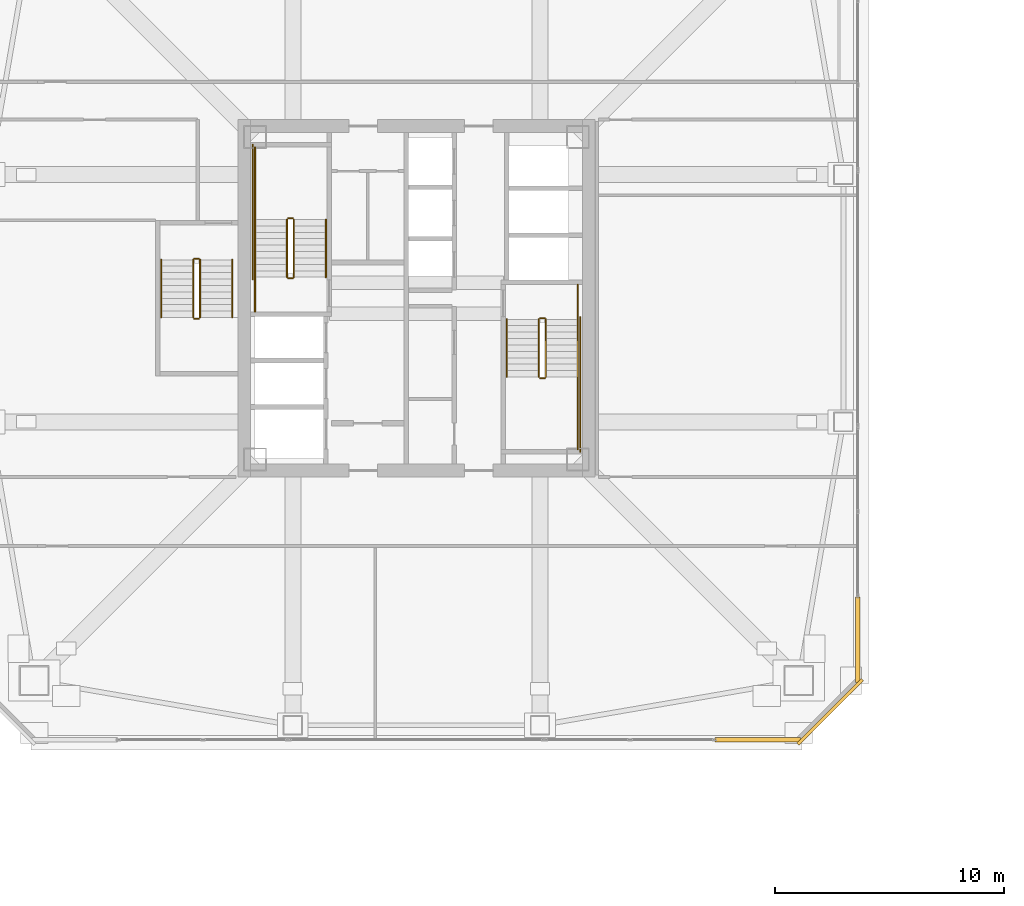
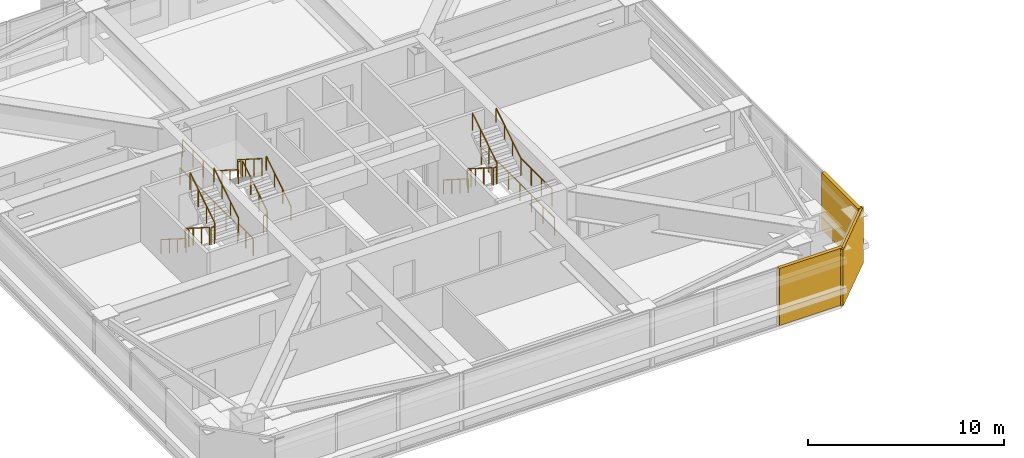
# One storey, part 38 of 42: 24 railings, 3 coverings.
"""IFC4 building model written with IfcOpenShell, lengths in metres."""

from ifc_helpers import new_model, si_unit, direction, frame, origin, origin_2d, place, context, subcontext, project, spatial, rectangle, extrude, material, layer, layer_set, type_object, element, save


model = new_model("IFC4")

# Units and contexts
model_context = context("Model", 3, precision=1e-05, world=origin(), true_north=direction((0.0, 1.0)))
body_context = subcontext(model_context, "Body", "Model", "MODEL_VIEW")
ifc_project = project(units=[si_unit("LENGTHUNIT", "METRE"), si_unit("AREAUNIT", "SQUARE_METRE"), si_unit("VOLUMEUNIT", "CUBIC_METRE"), si_unit("PLANEANGLEUNIT", "RADIAN"), si_unit("MASSUNIT", "GRAM", prefix="KILO")], contexts=[model_context])

# Site, building, storey
site_placement = place(None, origin())
site = spatial("IfcSite", under=ifc_project, at=site_placement, CompositionType="ELEMENT")
building_placement = place(site_placement, origin())
building = spatial("IfcBuilding", under=site, at=building_placement, Name="Tashvorn Skyway Center", CompositionType="ELEMENT")
storey_placement = place(building_placement, frame((0.0, 0.0, 153.449951171875)))
storey = spatial("IfcBuildingStorey", under=building, at=storey_placement, Name="L41", CompositionType="ELEMENT", Elevation=153.449951171875)

# Coverings
ifc_material_1 = material(Name="Precast concrete C40/50", Category="concrete")
ifc_layer_1 = layer(ifc_material_1, 0.199951171875)
ifc_layer_set_1 = layer_set([ifc_layer_1], Name="Precast concrete C40/50")
covering_type_1 = type_object("IfcCoveringType", Name="COV-BRACE-CLAD", PredefinedType="CLADDING", material=ifc_layer_set_1)
for number, where, z_axis, x_axis, name in (
    (1, (56.91552734375, 12.719970703125, 0.0), (0.0, 0.0, 1.0), (-1.0, 0.0, 0.0), "Tower 1 L41 South Unitised Curtain Wall Mega-Brace Cladding Band 1"),
    (2, (61.280029296875, 17.08447265625, 0.0), (0.0, 0.0, 1.0), (0.0, -1.0, 0.0), "Tower 1 L41 East Unitised Curtain Wall Mega-Brace Cladding Band 2"),
):
    element("IfcCovering", number, at=place(storey_placement, frame(where, z_axis=z_axis, x_axis=x_axis)), inside=storey, type_object=covering_type_1, Name=name, PredefinedType="CLADDING", context=body_context, shape_type="SweptSolid", body=[
        extrude(rectangle(XDim=3.72900390625, YDim=0.199951171875, at=origin_2d()), origin(), (0.0, 0.0, 1.0), 3.550048828125),
    ])
ifc_layer_2 = layer(ifc_material_1, 0.35009765625)
ifc_layer_set_2 = layer_set([ifc_layer_2], Name="Precast concrete C40/50")
covering_type_2 = type_object("IfcCoveringType", Name="COV-STONE-TRIM", PredefinedType="CLADDING", material=ifc_layer_set_2)
covering_placement = place(storey_placement, frame((60.070068359375, 13.929931640625, 0.02001953125), z_axis=(0.0, 0.0, 1.0), x_axis=(0.707106781187, 0.707106781187, 0.0)))
element("IfcCovering", 3, at=covering_placement, inside=storey, type_object=covering_type_2, Name="Tower 1 L41 SE Mojave Limestone Corner Quoin", PredefinedType="CLADDING", context=body_context, shape_type="SweptSolid", body=[
    extrude(rectangle(XDim=3.978515625, YDim=0.139892578125, at=origin_2d()), origin(), (0.0, 0.0, 1.0), 3.510009765625),
])

# Railings
ifc_material_2 = material(Name="Brushed stainless steel 316", Category="steel")
railing_type_1 = type_object("IfcRailingType", Name="RAIL-HAND-920", PredefinedType="HANDRAIL", material=ifc_material_2)
railing_1_placement = place(storey_placement, frame((38.050048828125, 32.919921875, 0.177490234375)))
element("IfcRailing", 4, at=railing_1_placement, inside=storey, type_object=railing_type_1, Name="L41 ST-T1-1 stair handrail 1", PredefinedType="HANDRAIL", context=body_context, shape_type="SweptSolid", body=[
    extrude(rectangle(XDim=0.048095703125, YDim=0.048095703125, at=origin_2d()), frame((0.0, 0.0, 0.8759765625), z_axis=(0.0, 0.84456994832, 0.535445237532), x_axis=(-1.0, 0.0, 0.0)), (0.0, 0.0, 1.0), 2.98388671875),
    extrude(rectangle(XDim=0.0419921875, YDim=0.0419921875, at=origin_2d()), origin(), (0.0, 0.0, 1.0), 0.851806640625),
    extrude(rectangle(XDim=0.0419921875, YDim=0.0419921875, at=origin_2d()), frame((0.0, 0.840087890625, 0.532470703125)), (0.0, 0.0, 1.0), 0.851806640625),
    extrude(rectangle(XDim=0.0419921875, YDim=0.0419921875, at=origin_2d()), frame((0.0, 1.679931640625, 1.065185546875)), (0.0, 0.0, 1.0), 0.851806640625),
    extrude(rectangle(XDim=0.0419921875, YDim=0.0419921875, at=origin_2d()), frame((0.0, 2.52001953125, 1.59765625)), (0.0, 0.0, 1.0), 0.851806640625),
])
railing_2_placement = place(storey_placement, frame((34.949951171875, 35.43994140625, 1.95263671875)))
element("IfcRailing", 5, at=railing_2_placement, inside=storey, type_object=railing_type_1, Name="L41 ST-T1-1 stair handrail 2", PredefinedType="HANDRAIL", context=body_context, shape_type="SweptSolid", body=[
    extrude(rectangle(XDim=0.048095703125, YDim=0.048095703125, at=origin_2d()), frame((0.0, 0.0, 0.8759765625), z_axis=(0.0, -0.84460694969, 0.535386869969), x_axis=(1.0, 0.0, 0.0)), (0.0, 0.0, 1.0), 2.983642578125),
    extrude(rectangle(XDim=0.0419921875, YDim=0.0419921875, at=origin_2d()), origin(), (0.0, 0.0, 1.0), 0.851806640625),
    extrude(rectangle(XDim=0.0419921875, YDim=0.0419921875, at=origin_2d()), frame((0.0, -0.840087890625, 0.532470703125)), (0.0, 0.0, 1.0), 0.851806640625),
    extrude(rectangle(XDim=0.0419921875, YDim=0.0419921875, at=origin_2d()), frame((0.0, -1.679931640625, 1.06494140625)), (0.0, 0.0, 1.0), 0.851806640625),
    extrude(rectangle(XDim=0.0419921875, YDim=0.0419921875, at=origin_2d()), frame((0.0, -2.52001953125, 1.597412109375)), (0.0, 0.0, 1.0), 0.851806640625),
])
railing_3_placement = place(storey_placement, frame((45.949951171875, 31.080078125, 0.177490234375)))
element("IfcRailing", 6, at=railing_3_placement, inside=storey, type_object=railing_type_1, Name="L41 ST-T1-2 stair handrail 1", PredefinedType="HANDRAIL", context=body_context, shape_type="SweptSolid", body=[
    extrude(rectangle(XDim=0.048095703125, YDim=0.048095703125, at=origin_2d()), frame((0.0, 0.0, 0.8759765625), z_axis=(0.0, -0.84456994832, 0.535445237532), x_axis=(1.0, 0.0, 0.0)), (0.0, 0.0, 1.0), 2.98388671875),
    extrude(rectangle(XDim=0.0419921875, YDim=0.0419921875, at=origin_2d()), origin(), (0.0, 0.0, 1.0), 0.851806640625),
    extrude(rectangle(XDim=0.0419921875, YDim=0.0419921875, at=origin_2d()), frame((0.0, -0.840087890625, 0.532470703125)), (0.0, 0.0, 1.0), 0.851806640625),
    extrude(rectangle(XDim=0.0419921875, YDim=0.0419921875, at=origin_2d()), frame((0.0, -1.679931640625, 1.065185546875)), (0.0, 0.0, 1.0), 0.851806640625),
    extrude(rectangle(XDim=0.0419921875, YDim=0.0419921875, at=origin_2d()), frame((0.0, -2.52001953125, 1.59765625)), (0.0, 0.0, 1.0), 0.851806640625),
])
railing_4_placement = place(storey_placement, frame((49.050048828125, 28.56005859375, 1.95263671875)))
element("IfcRailing", 7, at=railing_4_placement, inside=storey, type_object=railing_type_1, Name="L41 ST-T1-2 stair handrail 2", PredefinedType="HANDRAIL", context=body_context, shape_type="SweptSolid", body=[
    extrude(rectangle(XDim=0.048095703125, YDim=0.048095703125, at=origin_2d()), frame((0.0, 0.0, 0.8759765625), z_axis=(0.0, 0.84460694969, 0.535386869969), x_axis=(-1.0, 0.0, 0.0)), (0.0, 0.0, 1.0), 2.983642578125),
    extrude(rectangle(XDim=0.0419921875, YDim=0.0419921875, at=origin_2d()), origin(), (0.0, 0.0, 1.0), 0.851806640625),
    extrude(rectangle(XDim=0.0419921875, YDim=0.0419921875, at=origin_2d()), frame((0.0, 0.840087890625, 0.532470703125)), (0.0, 0.0, 1.0), 0.851806640625),
    extrude(rectangle(XDim=0.0419921875, YDim=0.0419921875, at=origin_2d()), frame((0.0, 1.679931640625, 1.06494140625)), (0.0, 0.0, 1.0), 0.851806640625),
    extrude(rectangle(XDim=0.0419921875, YDim=0.0419921875, at=origin_2d()), frame((0.0, 2.52001953125, 1.597412109375)), (0.0, 0.0, 1.0), 0.851806640625),
])
railing_5_placement = place(storey_placement, frame((30.85009765625, 33.679931640625, 0.177490234375)))
element("IfcRailing", 8, at=railing_5_placement, inside=storey, type_object=railing_type_1, Name="L41 ST-T1-3 stair handrail 1", PredefinedType="HANDRAIL", context=body_context, shape_type="SweptSolid", body=[
    extrude(rectangle(XDim=0.048095703125, YDim=0.048095703125, at=origin_2d()), frame((0.0, 0.0, 0.8759765625), z_axis=(0.0, -0.84456994832, 0.535445237532), x_axis=(1.0, 0.0, 0.0)), (0.0, 0.0, 1.0), 2.98388671875),
    extrude(rectangle(XDim=0.0419921875, YDim=0.0419921875, at=origin_2d()), origin(), (0.0, 0.0, 1.0), 0.851806640625),
    extrude(rectangle(XDim=0.0419921875, YDim=0.0419921875, at=origin_2d()), frame((0.0, -0.840087890625, 0.532470703125)), (0.0, 0.0, 1.0), 0.851806640625),
    extrude(rectangle(XDim=0.0419921875, YDim=0.0419921875, at=origin_2d()), frame((0.0, -1.679931640625, 1.065185546875)), (0.0, 0.0, 1.0), 0.851806640625),
    extrude(rectangle(XDim=0.0419921875, YDim=0.0419921875, at=origin_2d()), frame((0.0, -2.52001953125, 1.59765625)), (0.0, 0.0, 1.0), 0.851806640625),
])
railing_6_placement = place(storey_placement, frame((33.949951171875, 31.159912109375, 1.95263671875)))
element("IfcRailing", 9, at=railing_6_placement, inside=storey, type_object=railing_type_1, Name="L41 ST-T1-3 stair handrail 2", PredefinedType="HANDRAIL", context=body_context, shape_type="SweptSolid", body=[
    extrude(rectangle(XDim=0.048095703125, YDim=0.048095703125, at=origin_2d()), frame((0.0, 0.0, 0.8759765625), z_axis=(0.0, 0.84460694969, 0.535386869969), x_axis=(-1.0, 0.0, 0.0)), (0.0, 0.0, 1.0), 2.983642578125),
    extrude(rectangle(XDim=0.0419921875, YDim=0.0419921875, at=origin_2d()), origin(), (0.0, 0.0, 1.0), 0.851806640625),
    extrude(rectangle(XDim=0.0419921875, YDim=0.0419921875, at=origin_2d()), frame((0.0, 0.840087890625, 0.532470703125)), (0.0, 0.0, 1.0), 0.851806640625),
    extrude(rectangle(XDim=0.0419921875, YDim=0.0419921875, at=origin_2d()), frame((0.0, 1.679931640625, 1.06494140625)), (0.0, 0.0, 1.0), 0.851806640625),
    extrude(rectangle(XDim=0.0419921875, YDim=0.0419921875, at=origin_2d()), frame((0.0, 2.52001953125, 1.597412109375)), (0.0, 0.0, 1.0), 0.851806640625),
])
ifc_material_3 = material(Name="Painted galvanized steel S355", Category="steel")
railing_type_2 = type_object("IfcRailingType", Name="RAIL-STGUARD-1100", PredefinedType="GUARDRAIL", material=ifc_material_3)
railing_7_placement = place(storey_placement, frame((36.64990234375, 32.919921875, 0.177490234375)))
element("IfcRailing", 10, at=railing_7_placement, inside=storey, type_object=railing_type_2, Name="L41 ST-T1-1 stair guard 1", PredefinedType="GUARDRAIL", context=body_context, shape_type="SweptSolid", body=[
    extrude(rectangle(XDim=0.048095703125, YDim=0.048095703125, at=origin_2d()), frame((0.0, 0.0, 1.076171875), z_axis=(0.0, 0.84456994832, 0.535445237532), x_axis=(-1.0, 0.0, 0.0)), (0.0, 0.0, 1.0), 2.98388671875),
    extrude(rectangle(XDim=0.0419921875, YDim=0.0419921875, at=origin_2d()), origin(), (0.0, 0.0, 1.0), 1.052001953125),
    extrude(rectangle(XDim=0.0419921875, YDim=0.0419921875, at=origin_2d()), frame((0.0, 0.840087890625, 0.532470703125)), (0.0, 0.0, 1.0), 1.052001953125),
    extrude(rectangle(XDim=0.0419921875, YDim=0.0419921875, at=origin_2d()), frame((0.0, 1.679931640625, 1.065185546875)), (0.0, 0.0, 1.0), 1.052001953125),
    extrude(rectangle(XDim=0.0419921875, YDim=0.0419921875, at=origin_2d()), frame((0.0, 2.52001953125, 1.59765625)), (0.0, 0.0, 1.0), 1.052001953125),
])
railing_8_placement = place(storey_placement, frame((36.60009765625, 35.489990234375, 1.775146484375)))
element("IfcRailing", 11, at=railing_8_placement, inside=storey, type_object=railing_type_2, Name="L41 ST-T1-1 stair guard 2", PredefinedType="GUARDRAIL", context=body_context, shape_type="SweptSolid", body=[
    extrude(rectangle(XDim=0.048095703125, YDim=0.048095703125, at=origin_2d()), frame((0.0, 0.0, 1.076171875), z_axis=(-1.0, 0.0, 0.0), x_axis=(0.0, -1.0, 0.0)), (0.0, 0.0, 1.0), 0.2001953125),
    extrude(rectangle(XDim=0.0419921875, YDim=0.0419921875, at=origin_2d()), origin(), (0.0, 0.0, 1.0), 1.052001953125),
    extrude(rectangle(XDim=0.0419921875, YDim=0.0419921875, at=origin_2d()), frame((-0.2001953125, 0.0, 0.0)), (0.0, 0.0, 1.0), 1.052001953125),
])
railing_9_placement = place(storey_placement, frame((34.949951171875, 35.43994140625, 1.775146484375)))
element("IfcRailing", 12, at=railing_9_placement, inside=storey, type_object=railing_type_2, Name="L41 ST-T1-1 stair guard 3", PredefinedType="GUARDRAIL", context=body_context, shape_type="SweptSolid", body=[
    extrude(rectangle(XDim=0.048095703125, YDim=0.048095703125, at=origin_2d()), frame((0.0, 0.0, 1.076171875), z_axis=(0.0, 1.0, 0.0), x_axis=(-1.0, 0.0, 0.0)), (0.0, 0.0, 1.0), 3.16015625),
    extrude(rectangle(XDim=0.0419921875, YDim=0.0419921875, at=origin_2d()), origin(), (0.0, 0.0, 1.0), 1.052001953125),
    extrude(rectangle(XDim=0.0419921875, YDim=0.0419921875, at=origin_2d()), frame((0.0, 1.053466796875, 0.0)), (0.0, 0.0, 1.0), 1.052001953125),
    extrude(rectangle(XDim=0.0419921875, YDim=0.0419921875, at=origin_2d()), frame((0.0, 2.106689453125, 0.0)), (0.0, 0.0, 1.0), 1.052001953125),
    extrude(rectangle(XDim=0.0419921875, YDim=0.0419921875, at=origin_2d()), frame((0.0, 3.16015625, 0.0)), (0.0, 0.0, 1.0), 1.052001953125),
])
railing_10_placement = place(storey_placement, frame((36.35009765625, 35.43994140625, 1.95263671875)))
element("IfcRailing", 13, at=railing_10_placement, inside=storey, type_object=railing_type_2, Name="L41 ST-T1-1 stair guard 4", PredefinedType="GUARDRAIL", context=body_context, shape_type="SweptSolid", body=[
    extrude(rectangle(XDim=0.048095703125, YDim=0.048095703125, at=origin_2d()), frame((0.0, 0.0, 1.076171875), z_axis=(0.0, -0.84460694969, 0.535386869969), x_axis=(1.0, 0.0, 0.0)), (0.0, 0.0, 1.0), 2.983642578125),
    extrude(rectangle(XDim=0.0419921875, YDim=0.0419921875, at=origin_2d()), origin(), (0.0, 0.0, 1.0), 1.052001953125),
    extrude(rectangle(XDim=0.0419921875, YDim=0.0419921875, at=origin_2d()), frame((0.0, -0.840087890625, 0.532470703125)), (0.0, 0.0, 1.0), 1.052001953125),
    extrude(rectangle(XDim=0.0419921875, YDim=0.0419921875, at=origin_2d()), frame((0.0, -1.679931640625, 1.06494140625)), (0.0, 0.0, 1.0), 1.052001953125),
    extrude(rectangle(XDim=0.0419921875, YDim=0.0419921875, at=origin_2d()), frame((0.0, -2.52001953125, 1.597412109375)), (0.0, 0.0, 1.0), 1.052001953125),
])
railing_11_placement = place(storey_placement, frame((36.60009765625, 32.8701171875, 0.0)))
element("IfcRailing", 14, at=railing_11_placement, inside=storey, type_object=railing_type_2, Name="L41 ST-T1-1 stair guard 5", PredefinedType="GUARDRAIL", context=body_context, shape_type="SweptSolid", body=[
    extrude(rectangle(XDim=0.048095703125, YDim=0.048095703125, at=origin_2d()), frame((0.0, 0.0, 1.076171875), z_axis=(-1.0, 0.0, 0.0), x_axis=(0.0, -1.0, 0.0)), (0.0, 0.0, 1.0), 0.2001953125),
    extrude(rectangle(XDim=0.0419921875, YDim=0.0419921875, at=origin_2d()), origin(), (0.0, 0.0, 1.0), 1.052001953125),
    extrude(rectangle(XDim=0.0419921875, YDim=0.0419921875, at=origin_2d()), frame((-0.2001953125, 0.0, 0.0)), (0.0, 0.0, 1.0), 1.052001953125),
])
railing_12_placement = place(storey_placement, frame((34.949951171875, 31.39990234375, 0.0)))
element("IfcRailing", 15, at=railing_12_placement, inside=storey, type_object=railing_type_2, Name="L41 ST-T1-1 stair guard 6", PredefinedType="GUARDRAIL", context=body_context, shape_type="SweptSolid", body=[
    extrude(rectangle(XDim=0.048095703125, YDim=0.048095703125, at=origin_2d()), frame((0.0, 0.0, 1.076171875), z_axis=(0.0, 1.0, 0.0), x_axis=(-1.0, 0.0, 0.0)), (0.0, 0.0, 1.0), 1.52001953125),
    extrude(rectangle(XDim=0.0419921875, YDim=0.0419921875, at=origin_2d()), origin(), (0.0, 0.0, 1.0), 1.052001953125),
    extrude(rectangle(XDim=0.0419921875, YDim=0.0419921875, at=origin_2d()), frame((0.0, 0.760009765625, 0.0)), (0.0, 0.0, 1.0), 1.052001953125),
    extrude(rectangle(XDim=0.0419921875, YDim=0.0419921875, at=origin_2d()), frame((0.0, 1.52001953125, 0.0)), (0.0, 0.0, 1.0), 1.052001953125),
])
railing_13_placement = place(storey_placement, frame((34.85009765625, 32.820068359375, 0.0)))
element("IfcRailing", 16, at=railing_13_placement, inside=storey, type_object=railing_type_2, Name="L41 ST-T1-1 stair guard 7", PredefinedType="GUARDRAIL", context=body_context, shape_type="SweptSolid", body=[
    extrude(rectangle(XDim=0.048095703125, YDim=0.048095703125, at=origin_2d()), frame((0.0, 0.0, 1.076171875), z_axis=(0.0, 1.0, 0.0), x_axis=(-1.0, 0.0, 0.0)), (0.0, 0.0, 1.0), 5.8798828125),
    extrude(rectangle(XDim=0.0419921875, YDim=0.0419921875, at=origin_2d()), origin(), (0.0, 0.0, 1.0), 1.052001953125),
    extrude(rectangle(XDim=0.0419921875, YDim=0.0419921875, at=origin_2d()), frame((0.0, 1.176025390625, 0.0)), (0.0, 0.0, 1.0), 1.052001953125),
    extrude(rectangle(XDim=0.0419921875, YDim=0.0419921875, at=origin_2d()), frame((0.0, 2.35205078125, 0.0)), (0.0, 0.0, 1.0), 1.052001953125),
    extrude(rectangle(XDim=0.0419921875, YDim=0.0419921875, at=origin_2d()), frame((0.0, 3.52783203125, 0.0)), (0.0, 0.0, 1.0), 1.052001953125),
    extrude(rectangle(XDim=0.0419921875, YDim=0.0419921875, at=origin_2d()), frame((0.0, 4.703857421875, 0.0)), (0.0, 0.0, 1.0), 1.052001953125),
    extrude(rectangle(XDim=0.0419921875, YDim=0.0419921875, at=origin_2d()), frame((0.0, 5.8798828125, 0.0)), (0.0, 0.0, 1.0), 1.052001953125),
])
railing_14_placement = place(storey_placement, frame((47.35009765625, 31.080078125, 0.177490234375)))
element("IfcRailing", 17, at=railing_14_placement, inside=storey, type_object=railing_type_2, Name="L41 ST-T1-2 stair guard 1", PredefinedType="GUARDRAIL", context=body_context, shape_type="SweptSolid", body=[
    extrude(rectangle(XDim=0.048095703125, YDim=0.048095703125, at=origin_2d()), frame((0.0, 0.0, 1.076171875), z_axis=(0.0, -0.84456994832, 0.535445237532), x_axis=(1.0, 0.0, 0.0)), (0.0, 0.0, 1.0), 2.98388671875),
    extrude(rectangle(XDim=0.0419921875, YDim=0.0419921875, at=origin_2d()), origin(), (0.0, 0.0, 1.0), 1.052001953125),
    extrude(rectangle(XDim=0.0419921875, YDim=0.0419921875, at=origin_2d()), frame((0.0, -0.840087890625, 0.532470703125)), (0.0, 0.0, 1.0), 1.052001953125),
    extrude(rectangle(XDim=0.0419921875, YDim=0.0419921875, at=origin_2d()), frame((0.0, -1.679931640625, 1.065185546875)), (0.0, 0.0, 1.0), 1.052001953125),
    extrude(rectangle(XDim=0.0419921875, YDim=0.0419921875, at=origin_2d()), frame((0.0, -2.52001953125, 1.59765625)), (0.0, 0.0, 1.0), 1.052001953125),
])
railing_15_placement = place(storey_placement, frame((47.39990234375, 28.510009765625, 1.775146484375)))
element("IfcRailing", 18, at=railing_15_placement, inside=storey, type_object=railing_type_2, Name="L41 ST-T1-2 stair guard 2", PredefinedType="GUARDRAIL", context=body_context, shape_type="SweptSolid", body=[
    extrude(rectangle(XDim=0.048095703125, YDim=0.048095703125, at=origin_2d()), frame((0.0, 0.0, 1.076171875), z_axis=(1.0, 0.0, 0.0), x_axis=(0.0, 1.0, 0.0)), (0.0, 0.0, 1.0), 0.2001953125),
    extrude(rectangle(XDim=0.0419921875, YDim=0.0419921875, at=origin_2d()), origin(), (0.0, 0.0, 1.0), 1.052001953125),
    extrude(rectangle(XDim=0.0419921875, YDim=0.0419921875, at=origin_2d()), frame((0.2001953125, 0.0, 0.0)), (0.0, 0.0, 1.0), 1.052001953125),
])
railing_16_placement = place(storey_placement, frame((49.050048828125, 28.56005859375, 1.775146484375)))
element("IfcRailing", 19, at=railing_16_placement, inside=storey, type_object=railing_type_2, Name="L41 ST-T1-2 stair guard 3", PredefinedType="GUARDRAIL", context=body_context, shape_type="SweptSolid", body=[
    extrude(rectangle(XDim=0.048095703125, YDim=0.048095703125, at=origin_2d()), frame((0.0, 0.0, 1.076171875), z_axis=(0.0, -1.0, 0.0), x_axis=(1.0, 0.0, 0.0)), (0.0, 0.0, 1.0), 3.16015625),
    extrude(rectangle(XDim=0.0419921875, YDim=0.0419921875, at=origin_2d()), origin(), (0.0, 0.0, 1.0), 1.052001953125),
    extrude(rectangle(XDim=0.0419921875, YDim=0.0419921875, at=origin_2d()), frame((0.0, -1.053466796875, 0.0)), (0.0, 0.0, 1.0), 1.052001953125),
    extrude(rectangle(XDim=0.0419921875, YDim=0.0419921875, at=origin_2d()), frame((0.0, -2.106689453125, 0.0)), (0.0, 0.0, 1.0), 1.052001953125),
    extrude(rectangle(XDim=0.0419921875, YDim=0.0419921875, at=origin_2d()), frame((0.0, -3.16015625, 0.0)), (0.0, 0.0, 1.0), 1.052001953125),
])
railing_17_placement = place(storey_placement, frame((47.64990234375, 28.56005859375, 1.95263671875)))
element("IfcRailing", 20, at=railing_17_placement, inside=storey, type_object=railing_type_2, Name="L41 ST-T1-2 stair guard 4", PredefinedType="GUARDRAIL", context=body_context, shape_type="SweptSolid", body=[
    extrude(rectangle(XDim=0.048095703125, YDim=0.048095703125, at=origin_2d()), frame((0.0, 0.0, 1.076171875), z_axis=(0.0, 0.84460694969, 0.535386869969), x_axis=(-1.0, 0.0, 0.0)), (0.0, 0.0, 1.0), 2.983642578125),
    extrude(rectangle(XDim=0.0419921875, YDim=0.0419921875, at=origin_2d()), origin(), (0.0, 0.0, 1.0), 1.052001953125),
    extrude(rectangle(XDim=0.0419921875, YDim=0.0419921875, at=origin_2d()), frame((0.0, 0.840087890625, 0.532470703125)), (0.0, 0.0, 1.0), 1.052001953125),
    extrude(rectangle(XDim=0.0419921875, YDim=0.0419921875, at=origin_2d()), frame((0.0, 1.679931640625, 1.06494140625)), (0.0, 0.0, 1.0), 1.052001953125),
    extrude(rectangle(XDim=0.0419921875, YDim=0.0419921875, at=origin_2d()), frame((0.0, 2.52001953125, 1.597412109375)), (0.0, 0.0, 1.0), 1.052001953125),
])
railing_18_placement = place(storey_placement, frame((47.39990234375, 31.1298828125, 0.0)))
element("IfcRailing", 21, at=railing_18_placement, inside=storey, type_object=railing_type_2, Name="L41 ST-T1-2 stair guard 5", PredefinedType="GUARDRAIL", context=body_context, shape_type="SweptSolid", body=[
    extrude(rectangle(XDim=0.048095703125, YDim=0.048095703125, at=origin_2d()), frame((0.0, 0.0, 1.076171875), z_axis=(1.0, 0.0, 0.0), x_axis=(0.0, 1.0, 0.0)), (0.0, 0.0, 1.0), 0.2001953125),
    extrude(rectangle(XDim=0.0419921875, YDim=0.0419921875, at=origin_2d()), origin(), (0.0, 0.0, 1.0), 1.052001953125),
    extrude(rectangle(XDim=0.0419921875, YDim=0.0419921875, at=origin_2d()), frame((0.2001953125, 0.0, 0.0)), (0.0, 0.0, 1.0), 1.052001953125),
])
railing_19_placement = place(storey_placement, frame((49.050048828125, 32.60009765625, 0.0)))
element("IfcRailing", 22, at=railing_19_placement, inside=storey, type_object=railing_type_2, Name="L41 ST-T1-2 stair guard 6", PredefinedType="GUARDRAIL", context=body_context, shape_type="SweptSolid", body=[
    extrude(rectangle(XDim=0.048095703125, YDim=0.048095703125, at=origin_2d()), frame((0.0, 0.0, 1.076171875), z_axis=(0.0, -1.0, 0.0), x_axis=(1.0, 0.0, 0.0)), (0.0, 0.0, 1.0), 1.52001953125),
    extrude(rectangle(XDim=0.0419921875, YDim=0.0419921875, at=origin_2d()), origin(), (0.0, 0.0, 1.0), 1.052001953125),
    extrude(rectangle(XDim=0.0419921875, YDim=0.0419921875, at=origin_2d()), frame((0.0, -0.760009765625, 0.0)), (0.0, 0.0, 1.0), 1.052001953125),
    extrude(rectangle(XDim=0.0419921875, YDim=0.0419921875, at=origin_2d()), frame((0.0, -1.52001953125, 0.0)), (0.0, 0.0, 1.0), 1.052001953125),
])
railing_20_placement = place(storey_placement, frame((49.14990234375, 31.179931640625, 0.0)))
element("IfcRailing", 23, at=railing_20_placement, inside=storey, type_object=railing_type_2, Name="L41 ST-T1-2 stair guard 7", PredefinedType="GUARDRAIL", context=body_context, shape_type="SweptSolid", body=[
    extrude(rectangle(XDim=0.048095703125, YDim=0.048095703125, at=origin_2d()), frame((0.0, 0.0, 1.076171875), z_axis=(0.0, -1.0, 0.0), x_axis=(1.0, 0.0, 0.0)), (0.0, 0.0, 1.0), 5.8798828125),
    extrude(rectangle(XDim=0.0419921875, YDim=0.0419921875, at=origin_2d()), origin(), (0.0, 0.0, 1.0), 1.052001953125),
    extrude(rectangle(XDim=0.0419921875, YDim=0.0419921875, at=origin_2d()), frame((0.0, -1.176025390625, 0.0)), (0.0, 0.0, 1.0), 1.052001953125),
    extrude(rectangle(XDim=0.0419921875, YDim=0.0419921875, at=origin_2d()), frame((0.0, -2.35205078125, 0.0)), (0.0, 0.0, 1.0), 1.052001953125),
    extrude(rectangle(XDim=0.0419921875, YDim=0.0419921875, at=origin_2d()), frame((0.0, -3.52783203125, 0.0)), (0.0, 0.0, 1.0), 1.052001953125),
    extrude(rectangle(XDim=0.0419921875, YDim=0.0419921875, at=origin_2d()), frame((0.0, -4.703857421875, 0.0)), (0.0, 0.0, 1.0), 1.052001953125),
    extrude(rectangle(XDim=0.0419921875, YDim=0.0419921875, at=origin_2d()), frame((0.0, -5.8798828125, 0.0)), (0.0, 0.0, 1.0), 1.052001953125),
])
railing_21_placement = place(storey_placement, frame((32.25, 33.679931640625, 0.177490234375)))
element("IfcRailing", 24, at=railing_21_placement, inside=storey, type_object=railing_type_2, Name="L41 ST-T1-3 stair guard 1", PredefinedType="GUARDRAIL", context=body_context, shape_type="SweptSolid", body=[
    extrude(rectangle(XDim=0.048095703125, YDim=0.048095703125, at=origin_2d()), frame((0.0, 0.0, 1.076171875), z_axis=(0.0, -0.84456994832, 0.535445237532), x_axis=(1.0, 0.0, 0.0)), (0.0, 0.0, 1.0), 2.98388671875),
    extrude(rectangle(XDim=0.0419921875, YDim=0.0419921875, at=origin_2d()), origin(), (0.0, 0.0, 1.0), 1.052001953125),
    extrude(rectangle(XDim=0.0419921875, YDim=0.0419921875, at=origin_2d()), frame((0.0, -0.840087890625, 0.532470703125)), (0.0, 0.0, 1.0), 1.052001953125),
    extrude(rectangle(XDim=0.0419921875, YDim=0.0419921875, at=origin_2d()), frame((0.0, -1.679931640625, 1.065185546875)), (0.0, 0.0, 1.0), 1.052001953125),
    extrude(rectangle(XDim=0.0419921875, YDim=0.0419921875, at=origin_2d()), frame((0.0, -2.52001953125, 1.59765625)), (0.0, 0.0, 1.0), 1.052001953125),
])
railing_22_placement = place(storey_placement, frame((32.300048828125, 31.110107421875, 1.775146484375)))
element("IfcRailing", 25, at=railing_22_placement, inside=storey, type_object=railing_type_2, Name="L41 ST-T1-3 stair guard 2", PredefinedType="GUARDRAIL", context=body_context, shape_type="SweptSolid", body=[
    extrude(rectangle(XDim=0.048095703125, YDim=0.048095703125, at=origin_2d()), frame((0.0, 0.0, 1.076171875), z_axis=(1.0, 0.0, 0.0), x_axis=(0.0, 1.0, 0.0)), (0.0, 0.0, 1.0), 0.199951171875),
    extrude(rectangle(XDim=0.0419921875, YDim=0.0419921875, at=origin_2d()), origin(), (0.0, 0.0, 1.0), 1.052001953125),
    extrude(rectangle(XDim=0.0419921875, YDim=0.0419921875, at=origin_2d()), frame((0.199951171875, 0.0, 0.0)), (0.0, 0.0, 1.0), 1.052001953125),
])
railing_23_placement = place(storey_placement, frame((32.550048828125, 31.159912109375, 1.95263671875)))
element("IfcRailing", 26, at=railing_23_placement, inside=storey, type_object=railing_type_2, Name="L41 ST-T1-3 stair guard 3", PredefinedType="GUARDRAIL", context=body_context, shape_type="SweptSolid", body=[
    extrude(rectangle(XDim=0.048095703125, YDim=0.048095703125, at=origin_2d()), frame((0.0, 0.0, 1.076171875), z_axis=(0.0, 0.84460694969, 0.535386869969), x_axis=(-1.0, 0.0, 0.0)), (0.0, 0.0, 1.0), 2.983642578125),
    extrude(rectangle(XDim=0.0419921875, YDim=0.0419921875, at=origin_2d()), origin(), (0.0, 0.0, 1.0), 1.052001953125),
    extrude(rectangle(XDim=0.0419921875, YDim=0.0419921875, at=origin_2d()), frame((0.0, 0.840087890625, 0.532470703125)), (0.0, 0.0, 1.0), 1.052001953125),
    extrude(rectangle(XDim=0.0419921875, YDim=0.0419921875, at=origin_2d()), frame((0.0, 1.679931640625, 1.06494140625)), (0.0, 0.0, 1.0), 1.052001953125),
    extrude(rectangle(XDim=0.0419921875, YDim=0.0419921875, at=origin_2d()), frame((0.0, 2.52001953125, 1.597412109375)), (0.0, 0.0, 1.0), 1.052001953125),
])
railing_24_placement = place(storey_placement, frame((32.300048828125, 33.72998046875, 0.0)))
element("IfcRailing", 27, at=railing_24_placement, inside=storey, type_object=railing_type_2, Name="L41 ST-T1-3 stair guard 4", PredefinedType="GUARDRAIL", context=body_context, shape_type="SweptSolid", body=[
    extrude(rectangle(XDim=0.048095703125, YDim=0.048095703125, at=origin_2d()), frame((0.0, 0.0, 1.076171875), z_axis=(1.0, 0.0, 0.0), x_axis=(0.0, 1.0, 0.0)), (0.0, 0.0, 1.0), 0.199951171875),
    extrude(rectangle(XDim=0.0419921875, YDim=0.0419921875, at=origin_2d()), origin(), (0.0, 0.0, 1.0), 1.052001953125),
    extrude(rectangle(XDim=0.0419921875, YDim=0.0419921875, at=origin_2d()), frame((0.199951171875, 0.0, 0.0)), (0.0, 0.0, 1.0), 1.052001953125),
])

save(model, "model.ifc")
